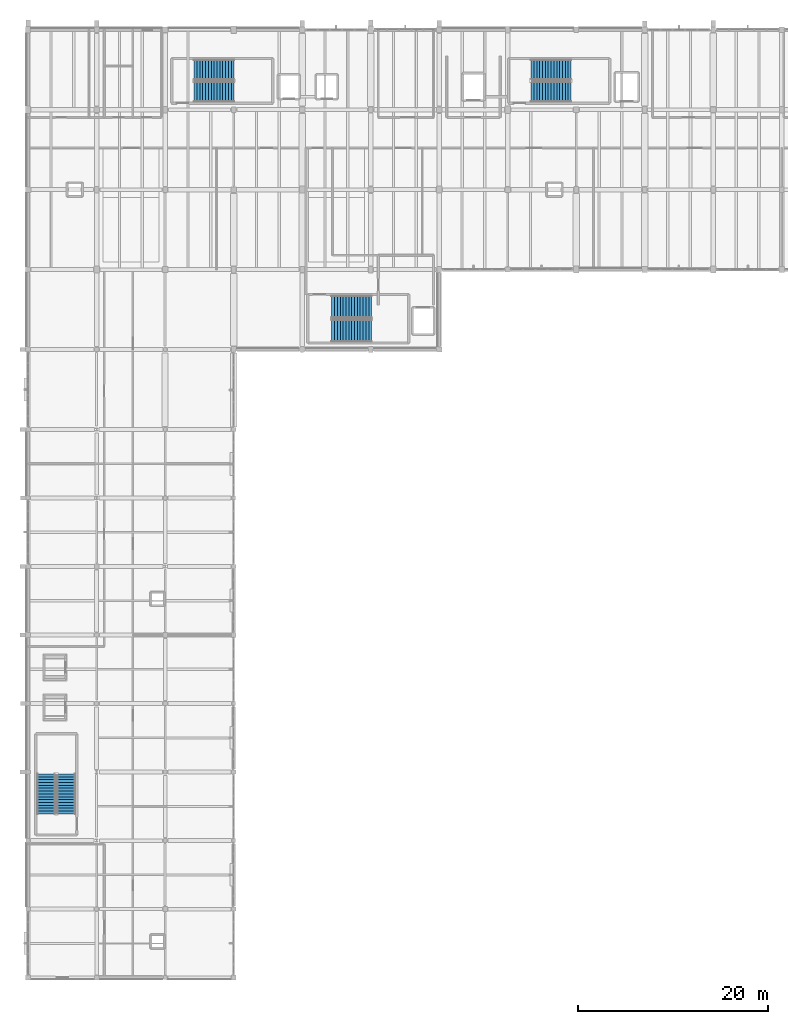
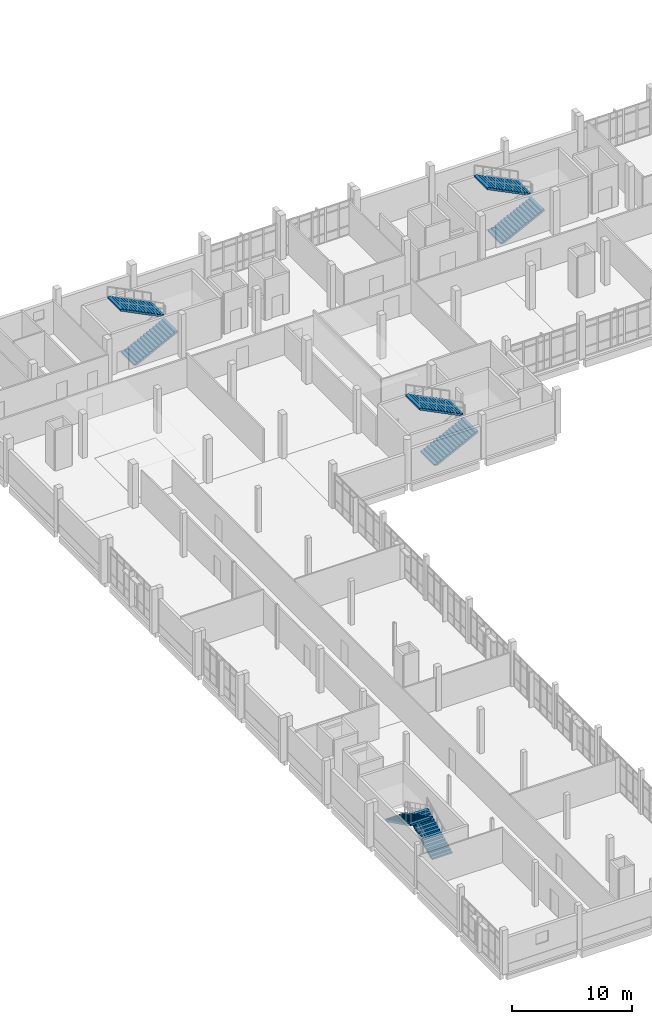
# One storey, part 57 of 62: 8 stair flights, 4 elements without a shape of their own.
"""IFC4 building model written with IfcOpenShell, lengths in metres."""

from ifc_helpers import new_model, si_unit, direction, frame, origin, place, context, subcontext, project, spatial, polyline, outline, extrude, material, type_object, element, aggregate, save


model = new_model("IFC4")

# Units and contexts
model_context = context("Model", 3, precision=1e-05, world=origin(), true_north=direction((0.0, 1.0)))
body_context = subcontext(model_context, "Body", "Model", "MODEL_VIEW")
ifc_project = project(units=[si_unit("LENGTHUNIT", "METRE"), si_unit("AREAUNIT", "SQUARE_METRE"), si_unit("VOLUMEUNIT", "CUBIC_METRE"), si_unit("PLANEANGLEUNIT", "RADIAN"), si_unit("MASSUNIT", "GRAM", prefix="KILO")], contexts=[model_context])

# Site, building, storey
site_placement = place(None, origin())
site = spatial("IfcSite", under=ifc_project, at=site_placement, CompositionType="ELEMENT")
building_placement = place(site_placement, origin())
building = spatial("IfcBuilding", under=site, at=building_placement, Name="Kalluvel Institute of Natural Sciences", CompositionType="ELEMENT")
storey_placement = place(building_placement, frame((0.0, 0.0, 27.89990234375)))
storey = spatial("IfcBuildingStorey", under=building, at=storey_placement, Name="L06", CompositionType="ELEMENT", Elevation=27.89990234375)

# Stair, stair flights
ifc_material = material(Name="Concrete M40", Category="concrete")
stair_type_1 = type_object("IfcStairType", Name="STR-ST12-45", PredefinedType="HALF_TURN_STAIR", material=ifc_material)
stair_1_placement = place(storey_placement, origin())
stair_1 = element("IfcStair", 1, at=stair_1_placement, inside=storey, type_object=stair_type_1, Name="L06 Wet Wing West Protected Exit Stair ST1", PredefinedType="HALF_TURN_STAIR")
stair_flight_type_1 = type_object("IfcStairFlightType", Name="STF-ST12-45", PredefinedType="STRAIGHT", material=ifc_material)
stair_flight_1_placement = place(storey_placement, frame((31.449951171875, 121.47998046875, 0.0), z_axis=(0.0, 0.0, 1.0), x_axis=(1.0, 0.0, 0.0)))
stair_flight_1 = element("IfcStairFlight", 2, at=stair_flight_1_placement, type_object=stair_flight_type_1, Name="S1-45 flight 1", NumberOfRisers=15, NumberOfTreads=14, PredefinedType="STRAIGHT", RiserHeight=0.15, TreadLength=0.3, context=body_context, shape_type="SweptSolid", body=[
    extrude(outline(polyline([(0.0, 0.0), (0.0, 0.14990234375), (0.300048828125, 0.14990234375), (0.300048828125, 0.300048828125), (0.60009765625, 0.300048828125), (0.60009765625, 0.449951171875), (0.89990234375, 0.449951171875), (0.89990234375, 0.60009765625), (1.199951171875, 0.60009765625), (1.199951171875, 0.75), (1.5, 0.75), (1.5, 0.89990234375), (1.800048828125, 0.89990234375), (1.800048828125, 1.050048828125), (2.10009765625, 1.050048828125), (2.10009765625, 1.199951171875), (2.39990234375, 1.199951171875), (2.39990234375, 1.35009765625), (2.699951171875, 1.35009765625), (2.699951171875, 1.5), (3.0, 1.5), (3.0, 1.64990234375), (3.300048828125, 1.64990234375), (3.300048828125, 1.800048828125), (3.60009765625, 1.800048828125), (3.60009765625, 1.949951171875), (3.89990234375, 1.949951171875), (3.89990234375, 2.10009765625), (4.199951171875, 2.10009765625), (4.199951171875, 2.25), (4.199951171875, 1.932373046875), (0.335205078125, 0.0), (0.0, 0.0)])), frame((0.0, 1.080078125, 0.0), z_axis=(0.0, -1.0, 0.0), x_axis=(1.0, 0.0, 0.0)), (0.0, 0.0, 1.0), 2.159912109375),
])
stair_flight_2_placement = place(storey_placement, frame((35.64990234375, 123.7900390625, 2.25), z_axis=(0.0, 0.0, 1.0), x_axis=(-1.0, 0.0, 0.0)))
stair_flight_2 = element("IfcStairFlight", 3, at=stair_flight_2_placement, type_object=stair_flight_type_1, Name="S1-45 flight 2", NumberOfRisers=15, NumberOfTreads=14, PredefinedType="STRAIGHT", RiserHeight=0.15, TreadLength=0.3, context=body_context, shape_type="SweptSolid", body=[
    extrude(outline(polyline([(0.0, 0.0), (0.0, 0.14990234375), (0.300048828125, 0.14990234375), (0.300048828125, 0.300048828125), (0.60009765625, 0.300048828125), (0.60009765625, 0.449951171875), (0.89990234375, 0.449951171875), (0.89990234375, 0.60009765625), (1.199951171875, 0.60009765625), (1.199951171875, 0.75), (1.5, 0.75), (1.5, 0.89990234375), (1.800048828125, 0.89990234375), (1.800048828125, 1.050048828125), (2.10009765625, 1.050048828125), (2.10009765625, 1.199951171875), (2.39990234375, 1.199951171875), (2.39990234375, 1.35009765625), (2.699951171875, 1.35009765625), (2.699951171875, 1.5), (3.0, 1.5), (3.0, 1.64990234375), (3.300048828125, 1.64990234375), (3.300048828125, 1.800048828125), (3.60009765625, 1.800048828125), (3.60009765625, 1.949951171875), (3.89990234375, 1.949951171875), (3.89990234375, 2.10009765625), (4.199951171875, 2.10009765625), (4.199951171875, 2.25), (4.199951171875, 1.932373046875), (0.335205078125, 0.0), (0.0, 0.0)])), frame((0.0, 1.080078125, 0.0), z_axis=(0.0, -1.0, 0.0), x_axis=(1.0, 0.0, 0.0)), (0.0, 0.0, 1.0), 2.159912109375),
])
aggregate(stair_1, [stair_flight_1, stair_flight_2])

stair_2_placement = place(storey_placement, origin())
stair_2 = element("IfcStair", 4, at=stair_2_placement, inside=storey, type_object=stair_type_1, Name="L06 Wet Wing East Protected Exit Stair ST2", PredefinedType="HALF_TURN_STAIR")
stair_flight_3_placement = place(storey_placement, frame((66.85009765625, 121.47998046875, 0.0), z_axis=(0.0, 0.0, 1.0), x_axis=(1.0, 0.0, 0.0)))
stair_flight_3 = element("IfcStairFlight", 5, at=stair_flight_3_placement, type_object=stair_flight_type_1, Name="S1-45 flight 1", NumberOfRisers=15, NumberOfTreads=14, PredefinedType="STRAIGHT", RiserHeight=0.15, TreadLength=0.3, context=body_context, shape_type="SweptSolid", body=[
    extrude(outline(polyline([(0.0, 0.0), (0.0, 0.14990234375), (0.300048828125, 0.14990234375), (0.300048828125, 0.300048828125), (0.60009765625, 0.300048828125), (0.60009765625, 0.449951171875), (0.89990234375, 0.449951171875), (0.89990234375, 0.60009765625), (1.199951171875, 0.60009765625), (1.199951171875, 0.75), (1.5, 0.75), (1.5, 0.89990234375), (1.800048828125, 0.89990234375), (1.800048828125, 1.050048828125), (2.10009765625, 1.050048828125), (2.10009765625, 1.199951171875), (2.39990234375, 1.199951171875), (2.39990234375, 1.35009765625), (2.699951171875, 1.35009765625), (2.699951171875, 1.5), (3.0, 1.5), (3.0, 1.64990234375), (3.300048828125, 1.64990234375), (3.300048828125, 1.800048828125), (3.60009765625, 1.800048828125), (3.60009765625, 1.949951171875), (3.89990234375, 1.949951171875), (3.89990234375, 2.10009765625), (4.199951171875, 2.10009765625), (4.199951171875, 2.25), (4.199951171875, 1.932373046875), (0.335205078125, 0.0), (0.0, 0.0)])), frame((0.0, 1.080078125, 0.0), z_axis=(0.0, -1.0, 0.0), x_axis=(1.0, 0.0, 0.0)), (0.0, 0.0, 1.0), 2.159912109375),
])
stair_flight_4_placement = place(storey_placement, frame((71.050048828125, 123.7900390625, 2.25), z_axis=(0.0, 0.0, 1.0), x_axis=(-1.0, 0.0, 0.0)))
stair_flight_4 = element("IfcStairFlight", 6, at=stair_flight_4_placement, type_object=stair_flight_type_1, Name="S1-45 flight 2", NumberOfRisers=15, NumberOfTreads=14, PredefinedType="STRAIGHT", RiserHeight=0.15, TreadLength=0.3, context=body_context, shape_type="SweptSolid", body=[
    extrude(outline(polyline([(0.0, 0.0), (0.0, 0.14990234375), (0.300048828125, 0.14990234375), (0.300048828125, 0.300048828125), (0.60009765625, 0.300048828125), (0.60009765625, 0.449951171875), (0.89990234375, 0.449951171875), (0.89990234375, 0.60009765625), (1.199951171875, 0.60009765625), (1.199951171875, 0.75), (1.5, 0.75), (1.5, 0.89990234375), (1.800048828125, 0.89990234375), (1.800048828125, 1.050048828125), (2.10009765625, 1.050048828125), (2.10009765625, 1.199951171875), (2.39990234375, 1.199951171875), (2.39990234375, 1.35009765625), (2.699951171875, 1.35009765625), (2.699951171875, 1.5), (3.0, 1.5), (3.0, 1.64990234375), (3.300048828125, 1.64990234375), (3.300048828125, 1.800048828125), (3.60009765625, 1.800048828125), (3.60009765625, 1.949951171875), (3.89990234375, 1.949951171875), (3.89990234375, 2.10009765625), (4.199951171875, 2.10009765625), (4.199951171875, 2.25), (4.199951171875, 1.932373046875), (0.335205078125, 0.0), (0.0, 0.0)])), frame((0.0, 1.080078125, 0.0), z_axis=(0.0, -1.0, 0.0), x_axis=(1.0, 0.0, 0.0)), (0.0, 0.0, 1.0), 2.159912109375),
])
aggregate(stair_2, [stair_flight_3, stair_flight_4])

stair_type_2 = type_object("IfcStairType", Name="STR-ST3-45", PredefinedType="HALF_TURN_STAIR", material=ifc_material)
stair_3_placement = place(storey_placement, origin())
stair_3 = element("IfcStair", 7, at=stair_3_placement, inside=storey, type_object=stair_type_2, Name="L06 Central Fire-Tower Protected Stair ST3", PredefinedType="HALF_TURN_STAIR")
stair_flight_type_2 = type_object("IfcStairFlightType", Name="STF-ST3-45", PredefinedType="STRAIGHT", material=ifc_material)
stair_flight_5_placement = place(storey_placement, frame((45.89990234375, 96.3798828125, 0.0), z_axis=(0.0, 0.0, 1.0), x_axis=(1.0, 0.0, 0.0)))
stair_flight_5 = element("IfcStairFlight", 8, at=stair_flight_5_placement, type_object=stair_flight_type_2, Name="S3-45 flight 1", NumberOfRisers=15, NumberOfTreads=14, PredefinedType="STRAIGHT", RiserHeight=0.15, TreadLength=0.3, context=body_context, shape_type="SweptSolid", body=[
    extrude(outline(polyline([(0.0, 0.0), (0.0, 0.14990234375), (0.300048828125, 0.14990234375), (0.300048828125, 0.300048828125), (0.60009765625, 0.300048828125), (0.60009765625, 0.449951171875), (0.89990234375, 0.449951171875), (0.89990234375, 0.60009765625), (1.199951171875, 0.60009765625), (1.199951171875, 0.75), (1.5, 0.75), (1.5, 0.89990234375), (1.800048828125, 0.89990234375), (1.800048828125, 1.050048828125), (2.10009765625, 1.050048828125), (2.10009765625, 1.199951171875), (2.39990234375, 1.199951171875), (2.39990234375, 1.35009765625), (2.699951171875, 1.35009765625), (2.699951171875, 1.5), (3.0, 1.5), (3.0, 1.64990234375), (3.300048828125, 1.64990234375), (3.300048828125, 1.800048828125), (3.60009765625, 1.800048828125), (3.60009765625, 1.949951171875), (3.89990234375, 1.949951171875), (3.89990234375, 2.10009765625), (4.199951171875, 2.10009765625), (4.199951171875, 2.25), (4.199951171875, 1.932373046875), (0.335205078125, 0.0), (0.0, 0.0)])), frame((0.0, 1.18017578125, 0.0), z_axis=(0.0, -1.0, 0.0), x_axis=(1.0, 0.0, 0.0)), (0.0, 0.0, 1.0), 2.360107421875),
])
stair_flight_6_placement = place(storey_placement, frame((50.10009765625, 98.889892578125, 2.25), z_axis=(0.0, 0.0, 1.0), x_axis=(-1.0, 0.0, 0.0)))
stair_flight_6 = element("IfcStairFlight", 9, at=stair_flight_6_placement, type_object=stair_flight_type_2, Name="S3-45 flight 2", NumberOfRisers=15, NumberOfTreads=14, PredefinedType="STRAIGHT", RiserHeight=0.15, TreadLength=0.3, context=body_context, shape_type="SweptSolid", body=[
    extrude(outline(polyline([(0.0, 0.0), (0.0, 0.14990234375), (0.300048828125, 0.14990234375), (0.300048828125, 0.300048828125), (0.60009765625, 0.300048828125), (0.60009765625, 0.449951171875), (0.89990234375, 0.449951171875), (0.89990234375, 0.60009765625), (1.199951171875, 0.60009765625), (1.199951171875, 0.75), (1.5, 0.75), (1.5, 0.89990234375), (1.800048828125, 0.89990234375), (1.800048828125, 1.050048828125), (2.10009765625, 1.050048828125), (2.10009765625, 1.199951171875), (2.39990234375, 1.199951171875), (2.39990234375, 1.35009765625), (2.699951171875, 1.35009765625), (2.699951171875, 1.5), (3.0, 1.5), (3.0, 1.64990234375), (3.300048828125, 1.64990234375), (3.300048828125, 1.800048828125), (3.60009765625, 1.800048828125), (3.60009765625, 1.949951171875), (3.89990234375, 1.949951171875), (3.89990234375, 2.10009765625), (4.199951171875, 2.10009765625), (4.199951171875, 2.25), (4.199951171875, 1.932373046875), (0.335205078125, 0.0), (0.0, 0.0)])), frame((0.0, 1.18017578125, 0.0), z_axis=(0.0, -1.0, 0.0), x_axis=(1.0, 0.0, 0.0)), (0.0, 0.0, 1.0), 2.360107421875),
])
aggregate(stair_3, [stair_flight_5, stair_flight_6])

stair_type_3 = type_object("IfcStairType", Name="STR-ST4-45", PredefinedType="HALF_TURN_STAIR", material=ifc_material)
stair_4_placement = place(storey_placement, origin())
stair_4 = element("IfcStair", 10, at=stair_4_placement, inside=storey, type_object=stair_type_3, Name="L06 Dry Wing Protected Exit Stair ST4", PredefinedType="HALF_TURN_STAIR")
stair_flight_type_3 = type_object("IfcStairFlightType", Name="STF-ST4-45", PredefinedType="STRAIGHT", material=ifc_material)
stair_flight_7_placement = place(storey_placement, frame((18.02001953125, 45.60009765625, 0.0), z_axis=(0.0, 0.0, 1.0), x_axis=(0.0, 1.0, 0.0)))
stair_flight_7 = element("IfcStairFlight", 11, at=stair_flight_7_placement, type_object=stair_flight_type_3, Name="S4-45 flight 1", NumberOfRisers=15, NumberOfTreads=14, PredefinedType="STRAIGHT", RiserHeight=0.15, TreadLength=0.3, context=body_context, shape_type="SweptSolid", body=[
    extrude(outline(polyline([(0.0, 0.0), (0.0, 0.14990234375), (0.300048828125, 0.14990234375), (0.300048828125, 0.300048828125), (0.60009765625, 0.300048828125), (0.60009765625, 0.449951171875), (0.89990234375, 0.449951171875), (0.89990234375, 0.60009765625), (1.199951171875, 0.60009765625), (1.199951171875, 0.75), (1.5, 0.75), (1.5, 0.89990234375), (1.800048828125, 0.89990234375), (1.800048828125, 1.050048828125), (2.10009765625, 1.050048828125), (2.10009765625, 1.199951171875), (2.39990234375, 1.199951171875), (2.39990234375, 1.35009765625), (2.699951171875, 1.35009765625), (2.699951171875, 1.5), (3.0, 1.5), (3.0, 1.64990234375), (3.300048828125, 1.64990234375), (3.300048828125, 1.800048828125), (3.60009765625, 1.800048828125), (3.60009765625, 1.949951171875), (3.89990234375, 1.949951171875), (3.89990234375, 2.10009765625), (4.199951171875, 2.10009765625), (4.199951171875, 2.25), (4.199951171875, 1.932373046875), (0.335205078125, 0.0), (0.0, 0.0)])), frame((0.0, 0.97998046875, 0.0), z_axis=(0.0, -1.0, 0.0), x_axis=(1.0, 0.0, 0.0)), (0.0, 0.0, 1.0), 1.9599609375),
])
stair_flight_8_placement = place(storey_placement, frame((15.909912109375, 49.800048828125, 2.25), z_axis=(0.0, 0.0, 1.0), x_axis=(0.0, -1.0, 0.0)))
stair_flight_8 = element("IfcStairFlight", 12, at=stair_flight_8_placement, type_object=stair_flight_type_3, Name="S4-45 flight 2", NumberOfRisers=15, NumberOfTreads=14, PredefinedType="STRAIGHT", RiserHeight=0.15, TreadLength=0.3, context=body_context, shape_type="SweptSolid", body=[
    extrude(outline(polyline([(0.0, 0.0), (0.0, 0.14990234375), (0.300048828125, 0.14990234375), (0.300048828125, 0.300048828125), (0.60009765625, 0.300048828125), (0.60009765625, 0.449951171875), (0.89990234375, 0.449951171875), (0.89990234375, 0.60009765625), (1.199951171875, 0.60009765625), (1.199951171875, 0.75), (1.5, 0.75), (1.5, 0.89990234375), (1.800048828125, 0.89990234375), (1.800048828125, 1.050048828125), (2.10009765625, 1.050048828125), (2.10009765625, 1.199951171875), (2.39990234375, 1.199951171875), (2.39990234375, 1.35009765625), (2.699951171875, 1.35009765625), (2.699951171875, 1.5), (3.0, 1.5), (3.0, 1.64990234375), (3.300048828125, 1.64990234375), (3.300048828125, 1.800048828125), (3.60009765625, 1.800048828125), (3.60009765625, 1.949951171875), (3.89990234375, 1.949951171875), (3.89990234375, 2.10009765625), (4.199951171875, 2.10009765625), (4.199951171875, 2.25), (4.199951171875, 1.932373046875), (0.335205078125, 0.0), (0.0, 0.0)])), frame((0.0, 0.97998046875, 0.0), z_axis=(0.0, -1.0, 0.0), x_axis=(1.0, 0.0, 0.0)), (0.0, 0.0, 1.0), 1.9599609375),
])
aggregate(stair_4, [stair_flight_7, stair_flight_8])

save(model, "model.ifc")
